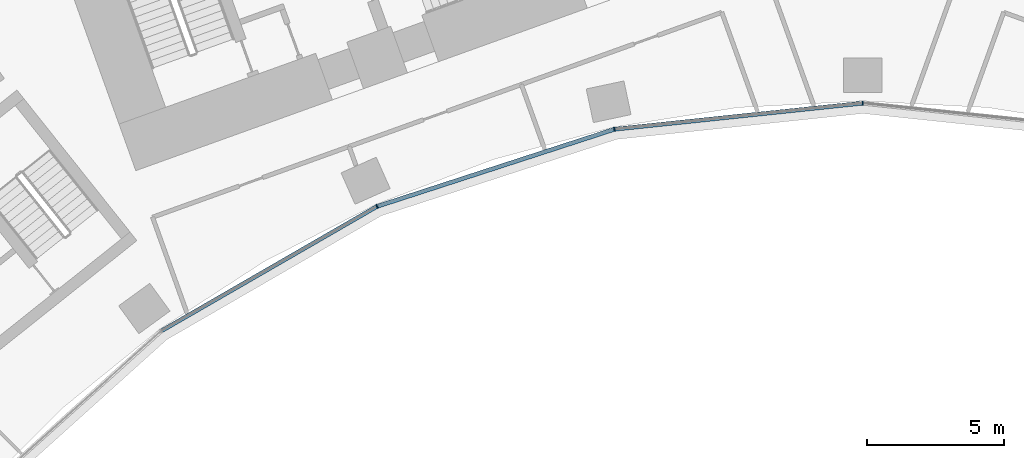
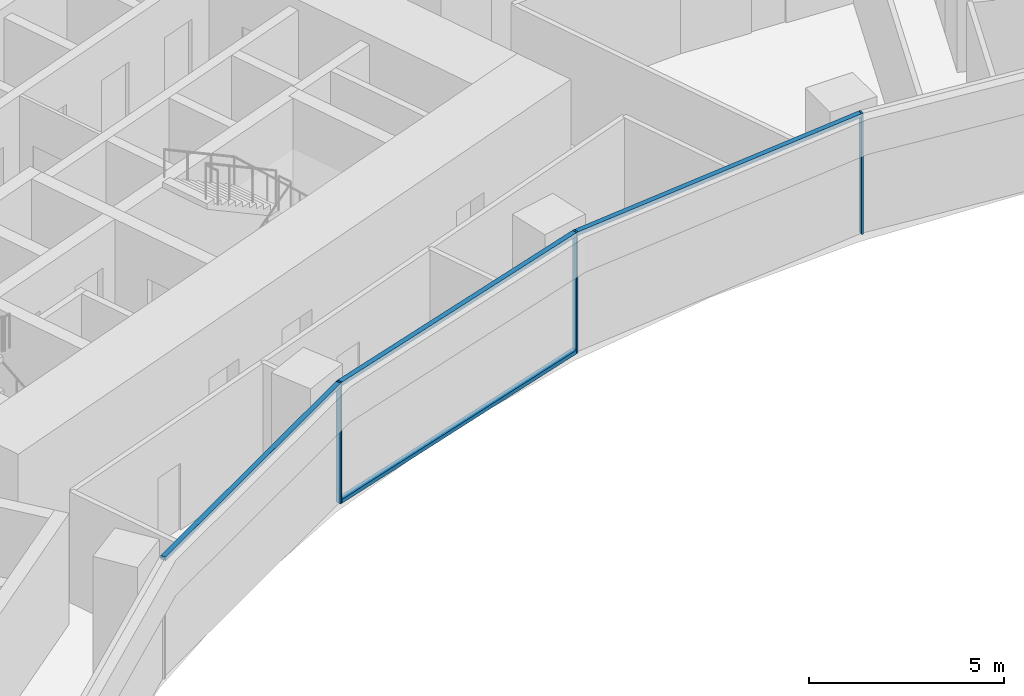
# One storey, part 5 of 25: 7 members, 1 element without a shape of its own.
"""IFC4 building model written with IfcOpenShell, lengths in metres."""

from ifc_helpers import new_model, si_unit, direction, frame, origin, origin_2d, place, context, subcontext, project, spatial, rectangle, extrude, material, layer, layer_set, material_profile, profile_set, type_object, element, aggregate, save


model = new_model("IFC4")

# Units and contexts
model_context = context("Model", 3, precision=1e-05, world=origin(), true_north=direction((0.0, 1.0)))
body_context = subcontext(model_context, "Body", "Model", "MODEL_VIEW")
ifc_project = project(units=[si_unit("LENGTHUNIT", "METRE"), si_unit("AREAUNIT", "SQUARE_METRE"), si_unit("VOLUMEUNIT", "CUBIC_METRE"), si_unit("PLANEANGLEUNIT", "RADIAN"), si_unit("MASSUNIT", "GRAM", prefix="KILO")], contexts=[model_context])

# Site, building, storey
site_placement = place(None, origin())
site = spatial("IfcSite", under=ifc_project, at=site_placement, CompositionType="ELEMENT")
building_placement = place(site_placement, origin())
building = spatial("IfcBuilding", under=site, at=building_placement, Name="Stone Belt Terrace Tower", CompositionType="ELEMENT")
storey_placement = place(building_placement, frame((0.0, 0.0, 52.800048828125)))
storey = spatial("IfcBuildingStorey", under=building, at=storey_placement, Name="L12", CompositionType="ELEMENT", Elevation=52.800048828125)

# Curtain wall, members
ifc_material = material(Name="Aluminium 6063-T6 anodised frame", Category="aluminium")
ifc_layer = layer(ifc_material, 0.14990234375)
ifc_layer_set = layer_set([ifc_layer], Name="CW-B unitised concave-face curtain wall")
curtain_wall_type = type_object("IfcCurtainWallType", Name="CW-B unitised concave-face curtain wall", PredefinedType="NOTDEFINED", material=ifc_layer_set)
curtain_wall_placement = place(storey_placement, origin())
curtain_wall = element("IfcCurtainWall", 1, at=curtain_wall_placement, inside=storey, type_object=curtain_wall_type, Name="CW-B concave face L12", PredefinedType="NOTDEFINED")
ifc_material_profile_1 = material_profile(ifc_material, rectangle(XDim=0.14990234375, YDim=0.050048828125, at=origin_2d()), Name="Aluminium 6063-T6 50x150")
ifc_profile_set_1 = profile_set([ifc_material_profile_1], Name="Aluminium 6063-T6 anodised frame")
member_type_1 = type_object("IfcMemberType", Name="CW-B mullion 50 x 150", PredefinedType="MULLION", material=ifc_profile_set_1)
member_1_placement = place(storey_placement, frame((-17.662353515625, 39.67041015625, 0.0), z_axis=(0.0, 0.0, 1.0), x_axis=(-0.406736643076, 0.913545457643, 0.0)))
member_1 = element("IfcMember", 2, at=member_1_placement, type_object=member_type_1, Name="CW-B mullion 4", PredefinedType="MULLION", context=body_context, shape_type="SweptSolid", body=[
    extrude(rectangle(XDim=0.14990234375, YDim=0.050048828125, at=origin_2d()), origin(), (0.0, 0.0, 1.0), 3.800048828125),
])
member_2_placement = place(storey_placement, frame((-9.028564453125, 42.4755859375, 0.0), z_axis=(0.0, 0.0, 1.0), x_axis=(-0.207911690818, 0.978147600734, 0.0)))
member_2 = element("IfcMember", 3, at=member_2_placement, type_object=member_type_1, Name="CW-B mullion 5", PredefinedType="MULLION", context=body_context, shape_type="SweptSolid", body=[
    extrude(rectangle(XDim=0.14990234375, YDim=0.050048828125, at=origin_2d()), origin(), (0.0, 0.0, 1.0), 3.800048828125),
])
member_3_placement = place(storey_placement, frame((0.0, 43.424560546875, 0.0), z_axis=(0.0, 0.0, 1.0), x_axis=(0.0, 1.0, 0.0)))
member_3 = element("IfcMember", 4, at=member_3_placement, type_object=member_type_1, Name="CW-B mullion 6", PredefinedType="MULLION", context=body_context, shape_type="SweptSolid", body=[
    extrude(rectangle(XDim=0.14990234375, YDim=0.050048828125, at=origin_2d()), origin(), (0.0, 0.0, 1.0), 3.800048828125),
])
ifc_material_profile_2 = material_profile(ifc_material, rectangle(XDim=0.14990234375, YDim=0.1201171875, at=origin_2d()), Name="Aluminium 6063-T6 150x120")
ifc_profile_set_2 = profile_set([ifc_material_profile_2], Name="Aluminium 6063-T6 anodised frame")
member_type_2 = type_object("IfcMemberType", Name="CW-B transom 120 x 150", PredefinedType="USERDEFINED", material=ifc_profile_set_2)
member_4_placement = place(storey_placement, frame((-25.49609375, 35.1474609375, 3.739990234375), z_axis=(0.866019133895, 0.500010859609, 0.0), x_axis=(-0.500010859609, 0.866019133895, 0.0)))
member_4 = element("IfcMember", 5, at=member_4_placement, type_object=member_type_2, Name="CW-B transom 3.1", ObjectType="TRANSOM", PredefinedType="USERDEFINED", context=body_context, shape_type="SweptSolid", body=[
    extrude(rectangle(XDim=0.14990234375, YDim=0.1201171875, at=origin_2d()), origin(), (0.0, 0.0, 1.0), 9.012939453125),
])
member_5_placement = place(storey_placement, frame((-17.63134765625, 39.680419921875, 0.06005859375), z_axis=(0.951055963285, 0.309018696359, 0.0), x_axis=(-0.309018696359, 0.951055963285, 0.0)))
member_5 = element("IfcMember", 6, at=member_5_placement, type_object=member_type_2, Name="CW-B transom 4.1", ObjectType="TRANSOM", PredefinedType="USERDEFINED", context=body_context, shape_type="SweptSolid", body=[
    extrude(rectangle(XDim=0.14990234375, YDim=0.1201171875, at=origin_2d()), origin(), (0.0, 0.0, 1.0), 9.012939453125),
])
member_6_placement = place(storey_placement, frame((-17.63134765625, 39.680419921875, 3.739990234375), z_axis=(0.951055963285, 0.309018696359, 0.0), x_axis=(-0.309018696359, 0.951055963285, 0.0)))
member_6 = element("IfcMember", 7, at=member_6_placement, type_object=member_type_2, Name="CW-B transom 4.2", ObjectType="TRANSOM", PredefinedType="USERDEFINED", context=body_context, shape_type="SweptSolid", body=[
    extrude(rectangle(XDim=0.14990234375, YDim=0.1201171875, at=origin_2d()), origin(), (0.0, 0.0, 1.0), 9.012939453125),
])
member_7_placement = place(storey_placement, frame((-8.995849609375, 42.47900390625, 3.739990234375), z_axis=(0.994521323407, 0.104533904969, 0.0), x_axis=(-0.104533904969, 0.994521323407, 0.0)))
member_7 = element("IfcMember", 8, at=member_7_placement, type_object=member_type_2, Name="CW-B transom 5.1", ObjectType="TRANSOM", PredefinedType="USERDEFINED", context=body_context, shape_type="SweptSolid", body=[
    extrude(rectangle(XDim=0.14990234375, YDim=0.1201171875, at=origin_2d()), origin(), (0.0, 0.0, 1.0), 9.0126953125),
])
aggregate(curtain_wall, [member_1, member_2, member_3, member_4, member_5, member_6, member_7])

save(model, "model.ifc")
